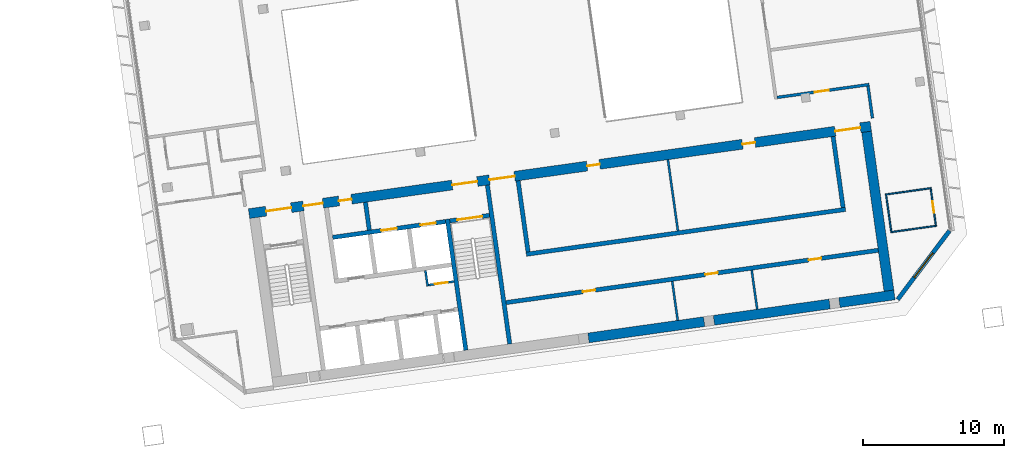
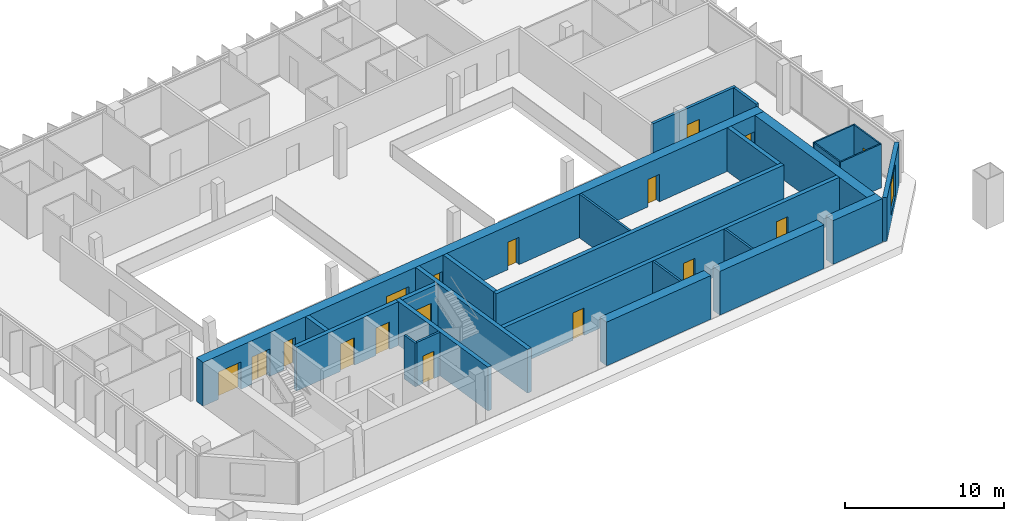
# One storey, part 18 of 22: 26 walls, 17 doors, 1 window, 18 openings.
"""IFC4 building model written with IfcOpenShell, lengths in metres."""

from ifc_helpers import new_model, si_unit, direction, frame, frame_2d, origin, place, context, subcontext, project, spatial, rectangle, extrude, material, layer, layer_set, type_object, element, fill, save


model = new_model("IFC4")

# Units and contexts
model_context = context("Model", 3, precision=1e-05, world=origin(), true_north=direction((0.0, 1.0)))
body_context = subcontext(model_context, "Body", "Model", "MODEL_VIEW")
ifc_project = project(units=[si_unit("LENGTHUNIT", "METRE"), si_unit("AREAUNIT", "SQUARE_METRE"), si_unit("VOLUMEUNIT", "CUBIC_METRE"), si_unit("PLANEANGLEUNIT", "RADIAN"), si_unit("MASSUNIT", "GRAM", prefix="KILO")], contexts=[model_context])

# Site, building, storey
site_placement = place(None, origin())
site = spatial("IfcSite", under=ifc_project, at=site_placement, CompositionType="ELEMENT")
building_placement = place(site_placement, origin())
building = spatial("IfcBuilding", under=site, at=building_placement, Name="Mirante Cascada Hotel Towers", CompositionType="ELEMENT")
storey_placement = place(building_placement, frame((0.0, 0.0, 191.6)))
storey = spatial("IfcBuildingStorey", under=building, at=storey_placement, Name="L45", CompositionType="ELEMENT", Elevation=191.6)

# Wall, opening, door
ifc_material_1 = material(Name="Fire-rated plasterboard on metal studs")
ifc_layer_1 = layer(ifc_material_1, 0.2)
ifc_layer_set_1 = layer_set([ifc_layer_1], Name="Compartment wall 200 EI 120")
wall_type_1 = type_object("IfcWallType", Name="Compartment wall 200 EI 120", PredefinedType="PARTITIONING", material=ifc_layer_set_1)
wall_1_placement = place(storey_placement, frame((73.0547, 0.6175, 0.0), z_axis=(0.0, 0.0, 1.0), x_axis=(0.990267, 0.139181, 0.0)))
wall_1 = element("IfcWall", 1, at=wall_1_placement, inside=storey, type_object=wall_type_1, Name="Wall 2-L45-06", PredefinedType="PARTITIONING", context=body_context, shape_type="SweptSolid", body=[
    extrude(rectangle(XDim=6.6, YDim=0.2, at=frame_2d((3.3, 0.0))), origin(), (0.0, 0.0, 1.0), 3.35),
])
opening_1_placement = place(wall_1_placement, frame((2.7, 0.0, 0.0)))
opening_1 = element("IfcOpeningElement", 2, at=opening_1_placement, cuts=wall_1, Name="Opening D2-L45-03", PredefinedType="OPENING", context=body_context, shape_type="SweptSolid", body=[
    extrude(rectangle(XDim=1.0, YDim=2.1, at=frame_2d((0.5, 1.05))), frame((0.0, 0.1, 0.0), z_axis=(0.0, -1.0, 0.0), x_axis=(1.0, 0.0, 0.0)), (0.0, 0.0, 1.0), 0.2),
])
ifc_material_2 = material(Name="Fire-rated timber door leaf", Category="wood")
door_type_1 = type_object("IfcDoorType", Name="Entrance door DG1 1000x2100 EI 60", OperationType="SINGLE_SWING_LEFT", PredefinedType="DOOR", material=ifc_material_2)
door_1_placement = place(opening_1_placement, frame((1.0, 0.0, 0.0), z_axis=(0.0, 0.0, 1.0), x_axis=(-1.0, 0.0, 0.0)))
door_1 = element("IfcDoor", 3, at=door_1_placement, inside=storey, type_object=door_type_1, Name="Door D2-L45-03", OperationType="SINGLE_SWING_RIGHT", OverallHeight=2.1, OverallWidth=1.0, PredefinedType="DOOR", context=body_context, shape_type="SweptSolid", body=[
    extrude(rectangle(XDim=1.0, YDim=2.1, at=frame_2d((0.5, 1.05))), frame((0.0, 0.025, 0.0), z_axis=(0.0, -1.0, 0.0), x_axis=(1.0, 0.0, 0.0)), (0.0, 0.0, 1.0), 0.05),
])
fill(opening_1, door_1)

# Walls
wall_2_placement = place(storey_placement, frame((79.8255, -0.8545, 0.0), z_axis=(0.0, 0.0, 1.0), x_axis=(-0.1391749, 0.9902678, 0.0)))
element("IfcWall", 4, at=wall_2_placement, inside=storey, type_object=wall_type_1, Name="Wall 2-L45-50", PredefinedType="PARTITIONING", context=body_context, shape_type="SweptSolid", body=[
    extrude(rectangle(XDim=2.3, YDim=0.2, at=frame_2d((1.15, 0.0))), origin(), (0.0, 0.0, 1.0), 3.35),
])
ifc_material_3 = material(Name="Masonry block", Category="masonry")
ifc_layer_2 = layer(ifc_material_3, 0.15)
ifc_layer_set_2 = layer_set([ifc_layer_2], Name="Core room partition 150 block EI 30")
wall_type_2 = type_object("IfcWallType", Name="Core room partition 150 block EI 30", PredefinedType="PARTITIONING", material=ifc_layer_set_2)
wall_3_placement = place(storey_placement, frame((48.2295, -12.793, 0.0), z_axis=(0.0, 0.0, 1.0), x_axis=(-0.1391935, 0.9902652, 0.0)))
element("IfcWall", 5, at=wall_3_placement, inside=storey, type_object=wall_type_2, Name="Core wall partition T2 L45 2", PredefinedType="PARTITIONING", context=body_context, shape_type="SweptSolid", body=[
    extrude(rectangle(XDim=1.1251, YDim=0.15, at=frame_2d((0.5626, 0.0))), origin(), (0.0, 0.0, 1.0), 3.35),
])

# Wall, opening, door
wall_4_placement = place(storey_placement, frame((48.2933, -12.7083, 0.0), z_axis=(0.0, 0.0, 1.0), x_axis=(0.990268, 0.1391734, 0.0)))
wall_4 = element("IfcWall", 6, at=wall_4_placement, inside=storey, type_object=wall_type_2, Name="Core wall partition T2 L45 3", PredefinedType="PARTITIONING", context=body_context, shape_type="SweptSolid", body=[
    extrude(rectangle(XDim=1.8251, YDim=0.15, at=frame_2d((0.9126, 0.0))), origin(), (0.0, 0.0, 1.0), 3.35),
])
opening_2_placement = place(wall_4_placement, frame((0.4625, 0.0, 0.0)))
opening_2 = element("IfcOpeningElement", 7, at=opening_2_placement, cuts=wall_4, Name="Opening D2-45-C15", PredefinedType="OPENING", context=body_context, shape_type="SweptSolid", body=[
    extrude(rectangle(XDim=0.9, YDim=2.1, at=frame_2d((0.45, 1.05))), frame((0.0, 0.075, 0.0), z_axis=(0.0, -1.0, 0.0), x_axis=(1.0, 0.0, 0.0)), (0.0, 0.0, 1.0), 0.15),
])
ifc_material_4 = material(Name="Hollow metal fire door leaf")
door_type_2 = type_object("IfcDoorType", Name="Fire door 900x2100 FD60", OperationType="NOTDEFINED", PredefinedType="DOOR", material=ifc_material_4)
door_2_placement = place(opening_2_placement, frame((0.9, 0.0, 0.0), z_axis=(0.0, 0.0, 1.0), x_axis=(-1.0, 0.0, 0.0)))
door_2 = element("IfcDoor", 8, at=door_2_placement, inside=storey, type_object=door_type_2, Name="Riser door T2 L45 15", OperationType="SINGLE_SWING_RIGHT", OverallHeight=2.1, OverallWidth=0.9, PredefinedType="DOOR", context=body_context, shape_type="SweptSolid", body=[
    extrude(rectangle(XDim=0.9, YDim=2.1, at=frame_2d((0.45, 1.05))), frame((0.0, 0.025, 0.0), z_axis=(0.0, -1.0, 0.0), x_axis=(1.0, 0.0, 0.0)), (0.0, 0.0, 1.0), 0.05),
])
fill(opening_2, door_2)

# Walls
for number, where, z_axis, x_axis, name in (
    (9, (65.9901, -15.2198, 0.0), (0.0, 0.0, 1.0), (-0.139181, 0.990267, 0.0), "Core wall partition T2 L45 5"),
    (10, (71.6346, -14.4265, 0.0), (0.0, 0.0, 1.0), (-0.139181, 0.990267, 0.0), "Core wall partition T2 L45 6"),
):
    element("IfcWall", number, at=place(storey_placement, frame(where, z_axis=z_axis, x_axis=x_axis)), inside=storey, type_object=wall_type_2, Name=name, PredefinedType="PARTITIONING", context=body_context, shape_type="SweptSolid", body=[
        extrude(rectangle(XDim=2.8, YDim=0.15, at=frame_2d((1.4, 0.0))), origin(), (0.0, 0.0, 1.0), 3.35),
    ])
wall_5_placement = place(storey_placement, frame((66.0045, -8.8559, 0.0), z_axis=(0.0, 0.0, 1.0), x_axis=(-0.1391563, 0.9902704, 0.0)))
element("IfcWall", 11, at=wall_5_placement, inside=storey, type_object=wall_type_2, Name="Core wall partition T2 L45 7", PredefinedType="PARTITIONING", context=body_context, shape_type="SweptSolid", body=[
    extrude(rectangle(XDim=5.1, YDim=0.15, at=frame_2d((2.55, 0.0))), origin(), (0.0, 0.0, 1.0), 3.35),
])
ifc_material_5 = material(Name="Masonry block", Category="masonry")
ifc_layer_3 = layer(ifc_material_5, 0.3)
ifc_layer_set_3 = layer_set([ifc_layer_3], Name="Core wall 300 block EI 120")
wall_type_3 = type_object("IfcWallType", Name="Core wall 300 block EI 120", PredefinedType="PARTITIONING", material=ifc_layer_set_3)
wall_6_placement = place(storey_placement, frame((44.0843, -8.8061, 0.0), z_axis=(0.0, 0.0, 1.0), x_axis=(-0.1391951, 0.990265, 0.0)))
element("IfcWall", 12, at=wall_6_placement, inside=storey, type_object=wall_type_3, Name="Core wall partition T2 L45 1", PredefinedType="PARTITIONING", context=body_context, shape_type="SweptSolid", body=[
    extrude(rectangle(XDim=2.0001, YDim=0.3, at=frame_2d((1.0001, 0.0))), origin(), (0.0, 0.0, 1.0), 3.35),
])

# Wall, openings, doors
wall_7_placement = place(storey_placement, frame((53.7953, -13.9547, 0.0), z_axis=(0.0, 0.0, 1.0), x_axis=(0.9902677, 0.1391758, 0.0)))
wall_7 = element("IfcWall", 13, at=wall_7_placement, inside=storey, type_object=wall_type_3, Name="Core wall partition T2 L45 4", PredefinedType="PARTITIONING", context=body_context, shape_type="SweptSolid", body=[
    extrude(rectangle(XDim=26.7001, YDim=0.3, at=frame_2d((13.35, 0.0))), origin(), (0.0, 0.0, 1.0), 3.35),
])
opening_3_placement = place(wall_7_placement, frame((5.5, 0.0, 0.0)))
opening_3 = element("IfcOpeningElement", 14, at=opening_3_placement, cuts=wall_7, Name="Opening D2-45-C17", PredefinedType="OPENING", context=body_context, shape_type="SweptSolid", body=[
    extrude(rectangle(XDim=0.9, YDim=2.1, at=frame_2d((0.45, 1.05))), frame((0.0, 0.15, 0.0), z_axis=(0.0, -1.0, 0.0), x_axis=(1.0, 0.0, 0.0)), (0.0, 0.0, 1.0), 0.3),
])
opening_4_placement = place(wall_7_placement, frame((14.3, 0.0, 0.0)))
opening_4 = element("IfcOpeningElement", 15, at=opening_4_placement, cuts=wall_7, Name="Opening D2-45-C18", PredefinedType="OPENING", context=body_context, shape_type="SweptSolid", body=[
    extrude(rectangle(XDim=0.9, YDim=2.1, at=frame_2d((0.45, 1.05))), frame((0.0, 0.15, 0.0), z_axis=(0.0, -1.0, 0.0), x_axis=(1.0, 0.0, 0.0)), (0.0, 0.0, 1.0), 0.3),
])
opening_5_placement = place(wall_7_placement, frame((21.7, 0.0, 0.0)))
opening_5 = element("IfcOpeningElement", 16, at=opening_5_placement, cuts=wall_7, Name="Opening D2-45-C19", PredefinedType="OPENING", context=body_context, shape_type="SweptSolid", body=[
    extrude(rectangle(XDim=0.9, YDim=2.1, at=frame_2d((0.45, 1.05))), frame((0.0, 0.15, 0.0), z_axis=(0.0, -1.0, 0.0), x_axis=(1.0, 0.0, 0.0)), (0.0, 0.0, 1.0), 0.3),
])
door_3_placement = place(opening_3_placement, frame((0.9, 0.0, 0.0), z_axis=(0.0, 0.0, 1.0), x_axis=(-1.0, 0.0, 0.0)))
door_3 = element("IfcDoor", 17, at=door_3_placement, inside=storey, type_object=door_type_2, Name="Room door T2 L45 17", OperationType="SINGLE_SWING_LEFT", OverallHeight=2.1, OverallWidth=0.9, PredefinedType="DOOR", context=body_context, shape_type="SweptSolid", body=[
    extrude(rectangle(XDim=0.9, YDim=2.1, at=frame_2d((0.45, 1.05))), frame((0.0, 0.025, 0.0), z_axis=(0.0, -1.0, 0.0), x_axis=(1.0, 0.0, 0.0)), (0.0, 0.0, 1.0), 0.05),
])
fill(opening_3, door_3)
door_4_placement = place(opening_4_placement, frame((0.9, 0.0, 0.0), z_axis=(0.0, 0.0, 1.0), x_axis=(-1.0, 0.0, 0.0)))
door_4 = element("IfcDoor", 18, at=door_4_placement, inside=storey, type_object=door_type_2, Name="Room door T2 L45 18", OperationType="SINGLE_SWING_RIGHT", OverallHeight=2.1, OverallWidth=0.9, PredefinedType="DOOR", context=body_context, shape_type="SweptSolid", body=[
    extrude(rectangle(XDim=0.9, YDim=2.1, at=frame_2d((0.45, 1.05))), frame((0.0, 0.025, 0.0), z_axis=(0.0, -1.0, 0.0), x_axis=(1.0, 0.0, 0.0)), (0.0, 0.0, 1.0), 0.05),
])
fill(opening_4, door_4)
door_5_placement = place(opening_5_placement, frame((0.9, 0.0, 0.0), z_axis=(0.0, 0.0, 1.0), x_axis=(-1.0, 0.0, 0.0)))
door_5 = element("IfcDoor", 19, at=door_5_placement, inside=storey, type_object=door_type_2, Name="Room door T2 L45 19", OperationType="SINGLE_SWING_RIGHT", OverallHeight=2.1, OverallWidth=0.9, PredefinedType="DOOR", context=body_context, shape_type="SweptSolid", body=[
    extrude(rectangle(XDim=0.9, YDim=2.1, at=frame_2d((0.45, 1.05))), frame((0.0, 0.025, 0.0), z_axis=(0.0, -1.0, 0.0), x_axis=(1.0, 0.0, 0.0)), (0.0, 0.0, 1.0), 0.05),
])
fill(opening_5, door_5)

# Walls
ifc_material_6 = material(Name="Plasterboard on metal studs")
ifc_layer_4 = layer(ifc_material_6, 0.1)
ifc_layer_set_4 = layer_set([ifc_layer_4], Name="Partition 100")
wall_type_4 = type_object("IfcWallType", Name="Partition 100", PredefinedType="PARTITIONING", material=ifc_layer_set_4)
for number, where, z_axis, x_axis, name in (
    (20, (81.1152, -8.9538, 0.0), (0.0, 0.0, 1.0), (0.990267, 0.139181, 0.0), "Wall 2-L45-02"),
    (21, (84.0074, -5.8208, 0.0), (0.0, 0.0, 1.0), (-0.990267, -0.139181, 0.0), "Wall 2-L45-03"),
):
    element("IfcWall", number, at=place(storey_placement, frame(where, z_axis=z_axis, x_axis=x_axis)), inside=storey, type_object=wall_type_4, Name=name, PredefinedType="PARTITIONING", context=body_context, shape_type="SweptSolid", body=[
        extrude(rectangle(XDim=3.3, YDim=0.1, at=frame_2d((1.65, 0.0))), origin(), (0.0, 0.0, 1.0), 3.35),
    ])
wall_8_placement = place(storey_placement, frame((80.7959, -6.3226, 0.0), z_axis=(0.0, 0.0, 1.0), x_axis=(0.1391918, -0.9902654, 0.0)))
element("IfcWall", 22, at=wall_8_placement, inside=storey, type_object=wall_type_4, Name="Wall 2-L45-51", PredefinedType="PARTITIONING", context=body_context, shape_type="SweptSolid", body=[
    extrude(rectangle(XDim=2.6, YDim=0.1, at=frame_2d((1.3, 0.0))), origin(), (0.0, 0.0, 1.0), 3.35),
])

# Wall, opening, door
wall_9_placement = place(storey_placement, frame((83.9648, -5.8773, 0.0), z_axis=(0.0, 0.0, 1.0), x_axis=(0.1391541, -0.9902707, 0.0)))
wall_9 = element("IfcWall", 23, at=wall_9_placement, inside=storey, type_object=wall_type_4, Name="Wall 2-L45-53", PredefinedType="PARTITIONING", context=body_context, shape_type="SweptSolid", body=[
    extrude(rectangle(XDim=2.6, YDim=0.1, at=frame_2d((1.3, 0.0))), origin(), (0.0, 0.0, 1.0), 3.35),
])
opening_6_placement = place(wall_9_placement, frame((0.9, 0.0, 0.0)))
opening_6 = element("IfcOpeningElement", 24, at=opening_6_placement, cuts=wall_9, Name="Opening D2-L45-31", PredefinedType="OPENING", context=body_context, shape_type="SweptSolid", body=[
    extrude(rectangle(XDim=0.8, YDim=2.1, at=frame_2d((0.4, 1.05))), frame((0.0, 0.05, 0.0), z_axis=(0.0, -1.0, 0.0), x_axis=(1.0, 0.0, 0.0)), (0.0, 0.0, 1.0), 0.1),
])
ifc_material_7 = material(Name="Timber door leaf", Category="wood")
door_type_3 = type_object("IfcDoorType", Name="Bathroom door DG4 800x2100", OperationType="SINGLE_SWING_LEFT", PredefinedType="DOOR", material=ifc_material_7)
door_6_placement = place(opening_6_placement, frame((0.8, 0.0, 0.0), z_axis=(0.0, 0.0, 1.0), x_axis=(-1.0, 0.0, 0.0)))
door_6 = element("IfcDoor", 25, at=door_6_placement, inside=storey, type_object=door_type_3, Name="Door D2-L45-31", OperationType="SINGLE_SWING_RIGHT", OverallHeight=2.1, OverallWidth=0.8, PredefinedType="DOOR", context=body_context, shape_type="SweptSolid", body=[
    extrude(rectangle(XDim=0.8, YDim=2.1, at=frame_2d((0.4, 1.05))), frame((0.0, 0.025, 0.0), z_axis=(0.0, -1.0, 0.0), x_axis=(1.0, 0.0, 0.0)), (0.0, 0.0, 1.0), 0.05),
])
fill(opening_6, door_6)

# Wall, opening, window
ifc_material_8 = material(Name="Precast concrete C40/50", Category="concrete")
ifc_layer_5 = layer(ifc_material_8, 0.3)
ifc_layer_set_5 = layer_set([ifc_layer_5], Name="Precast concrete C40/50 cladding wall 300")
wall_type_5 = type_object("IfcWallType", Name="Precast concrete C40/50 cladding wall 300", PredefinedType="STANDARD", material=ifc_layer_set_5)
wall_10_placement = place(storey_placement, frame((81.6175, -13.7366, 0.0), z_axis=(0.0, 0.0, 1.0), x_axis=(0.6018141, 0.7986362, 0.0)))
wall_10 = element("IfcWall", 26, at=wall_10_placement, inside=storey, type_object=wall_type_5, Name="Corner cladding wall T2 L45 rear outer", PredefinedType="STANDARD", context=body_context, shape_type="SweptSolid", body=[
    extrude(rectangle(XDim=6.1157, YDim=0.3, at=frame_2d((3.0578, 0.0))), origin(), (0.0, 0.0, 1.0), 3.35),
])
opening_7_placement = place(wall_10_placement, frame((1.9578, 0.0, 0.6)))
opening_7 = element("IfcOpeningElement", 27, at=opening_7_placement, cuts=wall_10, Name="Opening W2-45-01", PredefinedType="OPENING", context=body_context, shape_type="SweptSolid", body=[
    extrude(rectangle(XDim=2.2, YDim=2.4, at=frame_2d((1.1, 1.2))), frame((0.0, 0.15, 0.0), z_axis=(0.0, -1.0, 0.0), x_axis=(1.0, 0.0, 0.0)), (0.0, 0.0, 1.0), 0.3),
])
ifc_material_9 = material(Name="Aluminium frame with clear double glazing", Category="aluminium")
window_type = type_object("IfcWindowType", Name="Corner suite window 2200x2400", PartitioningType="DOUBLE_PANEL_VERTICAL", PredefinedType="WINDOW", material=ifc_material_9)
window_placement = place(opening_7_placement, origin())
window = element("IfcWindow", 28, at=window_placement, inside=storey, type_object=window_type, Name="Window W2-45-01", OverallHeight=2.4, OverallWidth=2.2, PartitioningType="SINGLE_PANEL", PredefinedType="WINDOW", context=body_context, shape_type="SweptSolid", body=[
    extrude(rectangle(XDim=2.2, YDim=2.4, at=frame_2d((1.1, 1.2))), frame((0.0, 0.03, 0.0), z_axis=(0.0, -1.0, 0.0), x_axis=(1.0, 0.0, 0.0)), (0.0, 0.0, 1.0), 0.06),
])
fill(opening_7, window)

# Walls
ifc_material_10 = material(Name="Concrete C50/60", Category="concrete")
ifc_layer_6 = layer(ifc_material_10, 0.3)
ifc_layer_set_6 = layer_set([ifc_layer_6], Name="RC core wall 300 C50/60")
wall_type_6 = type_object("IfcWallType", Name="RC core wall 300 C50/60", PredefinedType="SHEAR", material=ifc_layer_set_6)
wall_11_placement = place(storey_placement, frame((50.938, -17.3352, 0.0), z_axis=(0.0, 0.0, 1.0), x_axis=(-0.1391706, 0.9902684, 0.0)))
element("IfcWall", 29, at=wall_11_placement, inside=storey, type_object=wall_type_6, Name="Core wall T2:L45:6", PredefinedType="SHEAR", context=body_context, shape_type="SweptSolid", body=[
    extrude(rectangle(XDim=9.4, YDim=0.3, at=frame_2d((4.7, 0.0))), origin(), (0.0, 0.0, 1.0), 3.35),
])
wall_12_placement = place(storey_placement, frame((54.0574, -16.8968, 0.0), z_axis=(0.0, 0.0, 1.0), x_axis=(-0.1391761, 0.9902677, 0.0)))
element("IfcWall", 30, at=wall_12_placement, inside=storey, type_object=wall_type_6, Name="Core wall T2:L45:7", PredefinedType="SHEAR", context=body_context, shape_type="SweptSolid", body=[
    extrude(rectangle(XDim=11.3999, YDim=0.3, at=frame_2d((5.7, 0.0))), origin(), (0.0, 0.0, 1.0), 3.35),
])

# Wall, opening, door
wall_13_placement = place(storey_placement, frame((49.7992, -8.1544, 0.0), z_axis=(0.0, 0.0, 1.0), x_axis=(0.9902656, 0.1391909, 0.0)))
wall_13 = element("IfcWall", 31, at=wall_13_placement, inside=storey, type_object=wall_type_6, Name="Core wall T2:L45:9", PredefinedType="SHEAR", context=body_context, shape_type="SweptSolid", body=[
    extrude(rectangle(XDim=2.85, YDim=0.3, at=frame_2d((1.425, 0.0))), origin(), (0.0, 0.0, 1.0), 3.35),
])
opening_8_placement = place(wall_13_placement, frame((0.525, 0.0, 0.0)))
opening_8 = element("IfcOpeningElement", 32, at=opening_8_placement, cuts=wall_13, Name="Opening D2-45-C09", PredefinedType="OPENING", context=body_context, shape_type="SweptSolid", body=[
    extrude(rectangle(XDim=1.8, YDim=2.1, at=frame_2d((0.9, 1.05))), frame((0.0, 0.15, 0.0), z_axis=(0.0, -1.0, 0.0), x_axis=(1.0, 0.0, 0.0)), (0.0, 0.0, 1.0), 0.3),
])
ifc_material_11 = material(Name="Hollow metal fire door leaf")
door_type_4 = type_object("IfcDoorType", Name="Double fire door 1800x2100 FD60", OperationType="DOUBLE_DOOR_SINGLE_SWING", PredefinedType="DOOR", material=ifc_material_11)
door_7_placement = place(opening_8_placement, frame((1.8, 0.0, 0.0), z_axis=(0.0, 0.0, 1.0), x_axis=(-1.0, 0.0, 0.0)))
door_7 = element("IfcDoor", 33, at=door_7_placement, inside=storey, type_object=door_type_4, Name="Stair door T2 L45 9", OperationType="DOUBLE_DOOR_SINGLE_SWING", OverallHeight=2.1, OverallWidth=1.8, PredefinedType="DOOR", context=body_context, shape_type="SweptSolid", body=[
    extrude(rectangle(XDim=0.895, YDim=2.1, at=frame_2d((0.4475, 1.05))), frame((0.0, 0.025, 0.0), z_axis=(0.0, -1.0, 0.0), x_axis=(1.0, 0.0, 0.0)), (0.0, 0.0, 1.0), 0.05),
    extrude(rectangle(XDim=0.895, YDim=2.1, at=frame_2d((1.3525, 1.05))), frame((0.0, 0.025, 0.0), z_axis=(0.0, -1.0, 0.0), x_axis=(1.0, 0.0, 0.0)), (0.0, 0.0, 1.0), 0.05),
])
fill(opening_8, door_7)

# Wall, openings, doors
wall_14_placement = place(storey_placement, frame((41.481, -9.3234, 0.0), z_axis=(0.0, 0.0, 1.0), x_axis=(0.9902679, 0.1391741, 0.0)))
wall_14 = element("IfcWall", 34, at=wall_14_placement, inside=storey, type_object=wall_type_6, Name="Core wall T2:L45:12", PredefinedType="SHEAR", context=body_context, shape_type="SweptSolid", body=[
    extrude(rectangle(XDim=8.0999, YDim=0.3, at=frame_2d((4.05, 0.0))), origin(), (0.0, 0.0, 1.0), 3.35),
])
opening_9_placement = place(wall_14_placement, frame((3.5, 0.0, 0.0)))
opening_9 = element("IfcOpeningElement", 35, at=opening_9_placement, cuts=wall_14, Name="Opening LD", PredefinedType="OPENING", context=body_context, shape_type="SweptSolid", body=[
    extrude(rectangle(XDim=1.1, YDim=2.1, at=frame_2d((0.55, 1.05))), frame((0.0, 0.15, 0.0), z_axis=(0.0, -1.0, 0.0), x_axis=(1.0, 0.0, 0.0)), (0.0, 0.0, 1.0), 0.3),
])
opening_10_placement = place(wall_14_placement, frame((6.3, 0.0, 0.0)))
opening_10 = element("IfcOpeningElement", 36, at=opening_10_placement, cuts=wall_14, Name="Opening LD", PredefinedType="OPENING", context=body_context, shape_type="SweptSolid", body=[
    extrude(rectangle(XDim=1.1, YDim=2.1, at=frame_2d((0.55, 1.05))), frame((0.0, 0.15, 0.0), z_axis=(0.0, -1.0, 0.0), x_axis=(1.0, 0.0, 0.0)), (0.0, 0.0, 1.0), 0.3),
])
ifc_material_12 = material(Name="Stainless steel", Category="steel")
door_type_5 = type_object("IfcDoorType", Name="Lift landing door 1100x2100 EI 120", OperationType="DOUBLE_DOOR_SLIDING", PredefinedType="DOOR", material=ifc_material_12)
door_8_placement = place(opening_9_placement, origin())
door_8 = element("IfcDoor", 37, at=door_8_placement, inside=storey, type_object=door_type_5, Name="Lift landing door FF3 L45", OperationType="DOUBLE_DOOR_SLIDING", OverallHeight=2.1, OverallWidth=1.1, PredefinedType="DOOR", context=body_context, shape_type="SweptSolid", body=[
    extrude(rectangle(XDim=0.545, YDim=2.1, at=frame_2d((0.2725, 1.05))), frame((0.0, 0.025, 0.0), z_axis=(0.0, -1.0, 0.0), x_axis=(1.0, 0.0, 0.0)), (0.0, 0.0, 1.0), 0.05),
    extrude(rectangle(XDim=0.545, YDim=2.1, at=frame_2d((0.8275, 1.05))), frame((0.0, 0.025, 0.0), z_axis=(0.0, -1.0, 0.0), x_axis=(1.0, 0.0, 0.0)), (0.0, 0.0, 1.0), 0.05),
])
fill(opening_9, door_8)
door_9_placement = place(opening_10_placement, origin())
door_9 = element("IfcDoor", 38, at=door_9_placement, inside=storey, type_object=door_type_5, Name="Lift landing door FF4 L45", OperationType="DOUBLE_DOOR_SLIDING", OverallHeight=2.1, OverallWidth=1.1, PredefinedType="DOOR", context=body_context, shape_type="SweptSolid", body=[
    extrude(rectangle(XDim=0.545, YDim=2.1, at=frame_2d((0.2725, 1.05))), frame((0.0, 0.025, 0.0), z_axis=(0.0, -1.0, 0.0), x_axis=(1.0, 0.0, 0.0)), (0.0, 0.0, 1.0), 0.05),
    extrude(rectangle(XDim=0.545, YDim=2.1, at=frame_2d((0.8275, 1.05))), frame((0.0, 0.025, 0.0), z_axis=(0.0, -1.0, 0.0), x_axis=(1.0, 0.0, 0.0)), (0.0, 0.0, 1.0), 0.05),
])
fill(opening_10, door_9)

# Walls
wall_15_placement = place(storey_placement, frame((55.2315, -10.5214, 0.0), z_axis=(0.0, 0.0, 1.0), x_axis=(0.9902678, 0.1391749, 0.0)))
element("IfcWall", 39, at=wall_15_placement, inside=storey, type_object=wall_type_6, Name="Core wall T2:L45:25", PredefinedType="SHEAR", context=body_context, shape_type="SweptSolid", body=[
    extrude(rectangle(XDim=22.9, YDim=0.3, at=frame_2d((11.45, 0.0))), origin(), (0.0, 0.0, 1.0), 3.35),
])
for number, where, z_axis, x_axis, name in (
    (40, (55.3592, -10.352, 0.0), (0.0, 0.0, 1.0), (-0.1391755, 0.9902677, 0.0), "Core wall T2:L45:26"),
    (41, (77.7392, -7.2067, 0.0), (0.0, 0.0, 1.0), (-0.1391755, 0.9902677, 0.0), "Core wall T2:L45:27"),
):
    element("IfcWall", number, at=place(storey_placement, frame(where, z_axis=z_axis, x_axis=x_axis)), inside=storey, type_object=wall_type_6, Name=name, PredefinedType="SHEAR", context=body_context, shape_type="SweptSolid", body=[
        extrude(rectangle(XDim=5.1, YDim=0.3, at=frame_2d((2.55, 0.0))), origin(), (0.0, 0.0, 1.0), 3.35),
    ])
ifc_material_13 = material(Name="Concrete C50/60", Category="concrete")
ifc_layer_7 = layer(ifc_material_13, 0.7)
ifc_layer_set_7 = layer_set([ifc_layer_7], Name="RC core wall 700 C50/60")
wall_type_7 = type_object("IfcWallType", Name="RC core wall 700 C50/60", PredefinedType="SHEAR", material=ifc_layer_set_7)
for number, where, z_axis, x_axis, name in (
    (42, (59.6516, -16.4641, 0.0), (0.0, 0.0, 1.0), (0.990267, 0.139181, 0.0), "Core wall T2:L45:1.4"),
    (43, (68.564, -15.2115, 0.0), (0.0, 0.0, 1.0), (0.9902686, 0.1391692, 0.0), "Core wall T2:L45:1.5"),
):
    element("IfcWall", number, at=place(storey_placement, frame(where, z_axis=z_axis, x_axis=x_axis)), inside=storey, type_object=wall_type_7, Name=name, PredefinedType="SHEAR", context=body_context, shape_type="SweptSolid", body=[
        extrude(rectangle(XDim=8.3, YDim=0.7, at=frame_2d((4.15, 0.0))), origin(), (0.0, 0.0, 1.0), 3.35),
    ])
wall_16_placement = place(storey_placement, frame((77.4764, -13.9589, 0.0), z_axis=(0.0, 0.0, 1.0), x_axis=(0.9902694, 0.1391633, 0.0)))
element("IfcWall", 44, at=wall_16_placement, inside=storey, type_object=wall_type_7, Name="Core wall T2:L45:1.6", PredefinedType="SHEAR", context=body_context, shape_type="SweptSolid", body=[
    extrude(rectangle(XDim=3.95, YDim=0.7, at=frame_2d((1.975, 0.0))), origin(), (0.0, 0.0, 1.0), 3.35),
])

# Wall, openings, doors
wall_17_placement = place(storey_placement, frame((35.538, -7.6341, 0.0), z_axis=(0.0, 0.0, 1.0), x_axis=(0.9902682, 0.1391725, 0.0)))
wall_17 = element("IfcWall", 45, at=wall_17_placement, inside=storey, type_object=wall_type_7, Name="Core wall T2:L45:2", PredefinedType="SHEAR", context=body_context, shape_type="SweptSolid", body=[
    extrude(rectangle(XDim=44.6, YDim=0.7, at=frame_2d((22.3, 0.0))), origin(), (0.0, 0.0, 1.0), 3.35),
])
opening_11_placement = place(wall_17_placement, frame((1.225, 0.0, 0.0)))
opening_11 = element("IfcOpeningElement", 46, at=opening_11_placement, cuts=wall_17, Name="Opening D2-45-C08", PredefinedType="OPENING", context=body_context, shape_type="SweptSolid", body=[
    extrude(rectangle(XDim=1.8, YDim=2.1, at=frame_2d((0.9, 1.05))), frame((0.0, 0.35, 0.0), z_axis=(0.0, -1.0, 0.0), x_axis=(1.0, 0.0, 0.0)), (0.0, 0.0, 1.0), 0.7),
])
opening_12_placement = place(wall_17_placement, frame((14.575, 0.0, 0.0)))
opening_12 = element("IfcOpeningElement", 47, at=opening_12_placement, cuts=wall_17, Name="Opening D2-45-C10", PredefinedType="OPENING", context=body_context, shape_type="SweptSolid", body=[
    extrude(rectangle(XDim=1.8, YDim=2.1, at=frame_2d((0.9, 1.05))), frame((0.0, 0.35, 0.0), z_axis=(0.0, -1.0, 0.0), x_axis=(1.0, 0.0, 0.0)), (0.0, 0.0, 1.0), 0.7),
])
opening_13_placement = place(wall_17_placement, frame((3.9, 0.0, 0.0)))
opening_13 = element("IfcOpeningElement", 48, at=opening_13_placement, cuts=wall_17, Name="Opening D2-45-C11", PredefinedType="OPENING", context=body_context, shape_type="SweptSolid", body=[
    extrude(rectangle(XDim=1.4, YDim=2.1, at=frame_2d((0.7, 1.05))), frame((0.0, 0.35, 0.0), z_axis=(0.0, -1.0, 0.0), x_axis=(1.0, 0.0, 0.0)), (0.0, 0.0, 1.0), 0.7),
])
opening_14_placement = place(wall_17_placement, frame((17.25, 0.0, 0.0)))
opening_14 = element("IfcOpeningElement", 49, at=opening_14_placement, cuts=wall_17, Name="Opening D2-45-C12", PredefinedType="OPENING", context=body_context, shape_type="SweptSolid", body=[
    extrude(rectangle(XDim=1.8, YDim=2.1, at=frame_2d((0.9, 1.05))), frame((0.0, 0.35, 0.0), z_axis=(0.0, -1.0, 0.0), x_axis=(1.0, 0.0, 0.0)), (0.0, 0.0, 1.0), 0.7),
])
opening_15_placement = place(wall_17_placement, frame((42.05, 0.0, 0.0)))
opening_15 = element("IfcOpeningElement", 50, at=opening_15_placement, cuts=wall_17, Name="Opening D2-45-C13", PredefinedType="OPENING", context=body_context, shape_type="SweptSolid", body=[
    extrude(rectangle(XDim=1.8, YDim=2.1, at=frame_2d((0.9, 1.05))), frame((0.0, 0.35, 0.0), z_axis=(0.0, -1.0, 0.0), x_axis=(1.0, 0.0, 0.0)), (0.0, 0.0, 1.0), 0.7),
])
opening_16_placement = place(wall_17_placement, frame((6.45, 0.0, 0.0)))
opening_16 = element("IfcOpeningElement", 51, at=opening_16_placement, cuts=wall_17, Name="Opening D2-45-C16", PredefinedType="OPENING", context=body_context, shape_type="SweptSolid", body=[
    extrude(rectangle(XDim=0.9, YDim=2.1, at=frame_2d((0.45, 1.05))), frame((0.0, 0.35, 0.0), z_axis=(0.0, -1.0, 0.0), x_axis=(1.0, 0.0, 0.0)), (0.0, 0.0, 1.0), 0.7),
])
opening_17_placement = place(wall_17_placement, frame((24.25, 0.0, 0.0)))
opening_17 = element("IfcOpeningElement", 52, at=opening_17_placement, cuts=wall_17, Name="Opening D2-45-C20", PredefinedType="OPENING", context=body_context, shape_type="SweptSolid", body=[
    extrude(rectangle(XDim=0.9, YDim=2.1, at=frame_2d((0.45, 1.05))), frame((0.0, 0.35, 0.0), z_axis=(0.0, -1.0, 0.0), x_axis=(1.0, 0.0, 0.0)), (0.0, 0.0, 1.0), 0.7),
])
opening_18_placement = place(wall_17_placement, frame((35.4, 0.0, 0.0)))
opening_18 = element("IfcOpeningElement", 53, at=opening_18_placement, cuts=wall_17, Name="Opening D2-45-C21", PredefinedType="OPENING", context=body_context, shape_type="SweptSolid", body=[
    extrude(rectangle(XDim=0.9, YDim=2.1, at=frame_2d((0.45, 1.05))), frame((0.0, 0.35, 0.0), z_axis=(0.0, -1.0, 0.0), x_axis=(1.0, 0.0, 0.0)), (0.0, 0.0, 1.0), 0.7),
])
ifc_material_14 = material(Name="Hollow metal fire door leaf")
door_type_6 = type_object("IfcDoorType", Name="Double fire door 1400x2100 FD60", OperationType="DOUBLE_DOOR_SINGLE_SWING", PredefinedType="DOOR", material=ifc_material_14)
door_10_placement = place(opening_13_placement, origin())
door_10 = element("IfcDoor", 54, at=door_10_placement, inside=storey, type_object=door_type_6, Name="Exit door to gallery T2 L45 11", OperationType="DOUBLE_DOOR_SINGLE_SWING", OverallHeight=2.1, OverallWidth=1.4, PredefinedType="DOOR", context=body_context, shape_type="SweptSolid", body=[
    extrude(rectangle(XDim=0.695, YDim=2.1, at=frame_2d((0.3475, 1.05))), frame((0.0, 0.025, 0.0), z_axis=(0.0, -1.0, 0.0), x_axis=(1.0, 0.0, 0.0)), (0.0, 0.0, 1.0), 0.05),
    extrude(rectangle(XDim=0.695, YDim=2.1, at=frame_2d((1.0525, 1.05))), frame((0.0, 0.025, 0.0), z_axis=(0.0, -1.0, 0.0), x_axis=(1.0, 0.0, 0.0)), (0.0, 0.0, 1.0), 0.05),
])
fill(opening_13, door_10)
door_11_placement = place(opening_11_placement, frame((1.8, 0.0, 0.0), z_axis=(0.0, 0.0, 1.0), x_axis=(-1.0, 0.0, 0.0)))
door_11 = element("IfcDoor", 55, at=door_11_placement, inside=storey, type_object=door_type_4, Name="Exit door to gallery T2 L45 8", OperationType="DOUBLE_DOOR_SINGLE_SWING", OverallHeight=2.1, OverallWidth=1.8, PredefinedType="DOOR", context=body_context, shape_type="SweptSolid", body=[
    extrude(rectangle(XDim=0.895, YDim=2.1, at=frame_2d((0.4475, 1.05))), frame((0.0, 0.025, 0.0), z_axis=(0.0, -1.0, 0.0), x_axis=(1.0, 0.0, 0.0)), (0.0, 0.0, 1.0), 0.05),
    extrude(rectangle(XDim=0.895, YDim=2.1, at=frame_2d((1.3525, 1.05))), frame((0.0, 0.025, 0.0), z_axis=(0.0, -1.0, 0.0), x_axis=(1.0, 0.0, 0.0)), (0.0, 0.0, 1.0), 0.05),
])
fill(opening_11, door_11)
door_12_placement = place(opening_12_placement, frame((1.8, 0.0, 0.0), z_axis=(0.0, 0.0, 1.0), x_axis=(-1.0, 0.0, 0.0)))
door_12 = element("IfcDoor", 56, at=door_12_placement, inside=storey, type_object=door_type_4, Name="Exit door to gallery T2 L45 10", OperationType="DOUBLE_DOOR_SINGLE_SWING", OverallHeight=2.1, OverallWidth=1.8, PredefinedType="DOOR", context=body_context, shape_type="SweptSolid", body=[
    extrude(rectangle(XDim=0.895, YDim=2.1, at=frame_2d((0.4475, 1.05))), frame((0.0, 0.025, 0.0), z_axis=(0.0, -1.0, 0.0), x_axis=(1.0, 0.0, 0.0)), (0.0, 0.0, 1.0), 0.05),
    extrude(rectangle(XDim=0.895, YDim=2.1, at=frame_2d((1.3525, 1.05))), frame((0.0, 0.025, 0.0), z_axis=(0.0, -1.0, 0.0), x_axis=(1.0, 0.0, 0.0)), (0.0, 0.0, 1.0), 0.05),
])
fill(opening_12, door_12)
door_13_placement = place(opening_14_placement, origin())
door_13 = element("IfcDoor", 57, at=door_13_placement, inside=storey, type_object=door_type_4, Name="Exit door to gallery T2 L45 12", OperationType="DOUBLE_DOOR_SINGLE_SWING", OverallHeight=2.1, OverallWidth=1.8, PredefinedType="DOOR", context=body_context, shape_type="SweptSolid", body=[
    extrude(rectangle(XDim=0.895, YDim=2.1, at=frame_2d((0.4475, 1.05))), frame((0.0, 0.025, 0.0), z_axis=(0.0, -1.0, 0.0), x_axis=(1.0, 0.0, 0.0)), (0.0, 0.0, 1.0), 0.05),
    extrude(rectangle(XDim=0.895, YDim=2.1, at=frame_2d((1.3525, 1.05))), frame((0.0, 0.025, 0.0), z_axis=(0.0, -1.0, 0.0), x_axis=(1.0, 0.0, 0.0)), (0.0, 0.0, 1.0), 0.05),
])
fill(opening_14, door_13)
door_14_placement = place(opening_15_placement, origin())
door_14 = element("IfcDoor", 58, at=door_14_placement, inside=storey, type_object=door_type_4, Name="Exit door to gallery T2 L45 13", OperationType="DOUBLE_DOOR_SINGLE_SWING", OverallHeight=2.1, OverallWidth=1.8, PredefinedType="DOOR", context=body_context, shape_type="SweptSolid", body=[
    extrude(rectangle(XDim=0.895, YDim=2.1, at=frame_2d((0.4475, 1.05))), frame((0.0, 0.025, 0.0), z_axis=(0.0, -1.0, 0.0), x_axis=(1.0, 0.0, 0.0)), (0.0, 0.0, 1.0), 0.05),
    extrude(rectangle(XDim=0.895, YDim=2.1, at=frame_2d((1.3525, 1.05))), frame((0.0, 0.025, 0.0), z_axis=(0.0, -1.0, 0.0), x_axis=(1.0, 0.0, 0.0)), (0.0, 0.0, 1.0), 0.05),
])
fill(opening_15, door_14)
door_15_placement = place(opening_16_placement, frame((0.9, 0.0, 0.0), z_axis=(0.0, 0.0, 1.0), x_axis=(-1.0, 0.0, 0.0)))
door_15 = element("IfcDoor", 59, at=door_15_placement, inside=storey, type_object=door_type_2, Name="Room door T2 L45 16", OperationType="SINGLE_SWING_LEFT", OverallHeight=2.1, OverallWidth=0.9, PredefinedType="DOOR", context=body_context, shape_type="SweptSolid", body=[
    extrude(rectangle(XDim=0.9, YDim=2.1, at=frame_2d((0.45, 1.05))), frame((0.0, 0.025, 0.0), z_axis=(0.0, -1.0, 0.0), x_axis=(1.0, 0.0, 0.0)), (0.0, 0.0, 1.0), 0.05),
])
fill(opening_16, door_15)
door_16_placement = place(opening_17_placement, frame((0.9, 0.0, 0.0), z_axis=(0.0, 0.0, 1.0), x_axis=(-1.0, 0.0, 0.0)))
door_16 = element("IfcDoor", 60, at=door_16_placement, inside=storey, type_object=door_type_2, Name="Room door T2 L45 20", OperationType="SINGLE_SWING_RIGHT", OverallHeight=2.1, OverallWidth=0.9, PredefinedType="DOOR", context=body_context, shape_type="SweptSolid", body=[
    extrude(rectangle(XDim=0.9, YDim=2.1, at=frame_2d((0.45, 1.05))), frame((0.0, 0.025, 0.0), z_axis=(0.0, -1.0, 0.0), x_axis=(1.0, 0.0, 0.0)), (0.0, 0.0, 1.0), 0.05),
])
fill(opening_17, door_16)
door_17_placement = place(opening_18_placement, frame((0.9, 0.0, 0.0), z_axis=(0.0, 0.0, 1.0), x_axis=(-1.0, 0.0, 0.0)))
door_17 = element("IfcDoor", 61, at=door_17_placement, inside=storey, type_object=door_type_2, Name="Room door T2 L45 21", OperationType="SINGLE_SWING_RIGHT", OverallHeight=2.1, OverallWidth=0.9, PredefinedType="DOOR", context=body_context, shape_type="SweptSolid", body=[
    extrude(rectangle(XDim=0.9, YDim=2.1, at=frame_2d((0.45, 1.05))), frame((0.0, 0.025, 0.0), z_axis=(0.0, -1.0, 0.0), x_axis=(1.0, 0.0, 0.0)), (0.0, 0.0, 1.0), 0.05),
])
fill(opening_18, door_17)

# Wall
wall_18_placement = place(storey_placement, frame((80.9927, -13.1113, 0.0), z_axis=(0.0, 0.0, 1.0), x_axis=(-0.1391761, 0.9902677, 0.0)))
element("IfcWall", 62, at=wall_18_placement, inside=storey, type_object=wall_type_7, Name="Core wall T2:L45:4", PredefinedType="SHEAR", context=body_context, shape_type="SweptSolid", body=[
    extrude(rectangle(XDim=11.3999, YDim=0.7, at=frame_2d((5.7, 0.0))), origin(), (0.0, 0.0, 1.0), 3.35),
])

save(model, "model.ifc")
